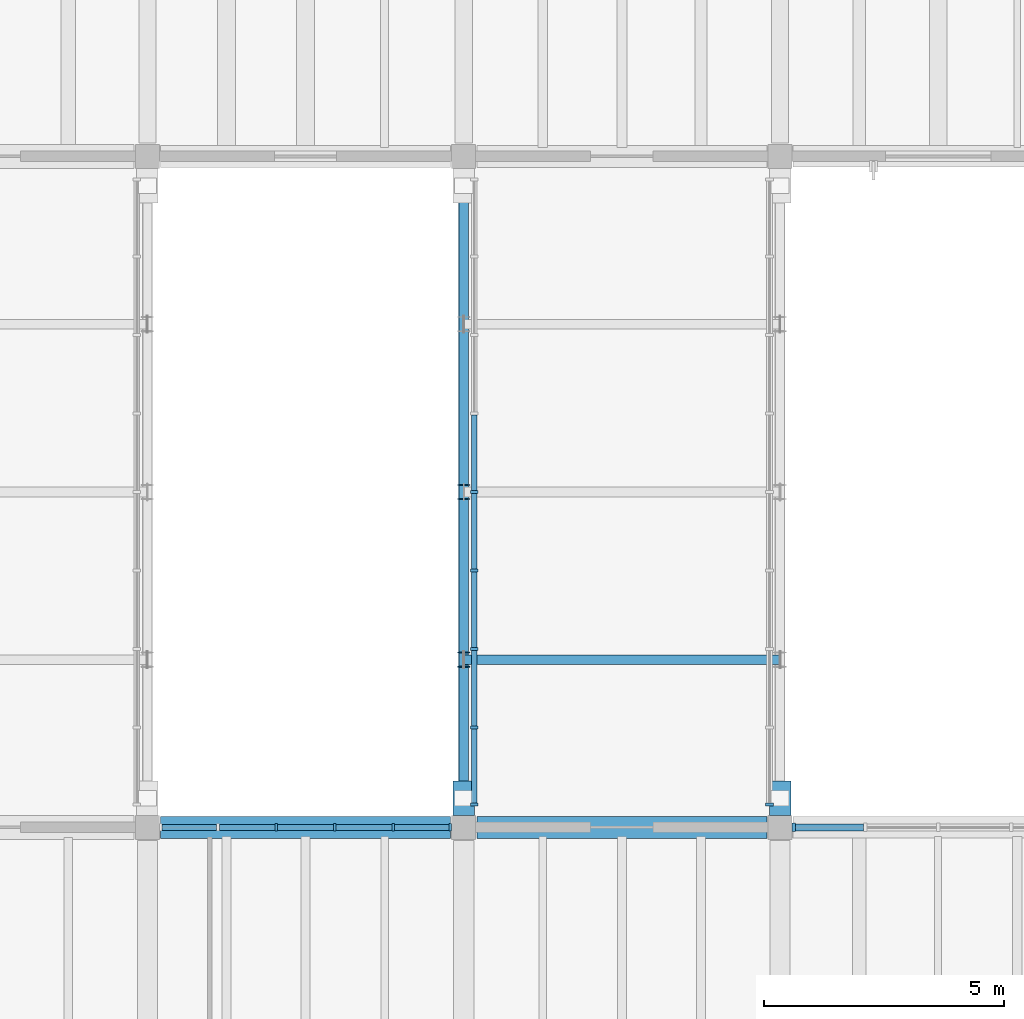
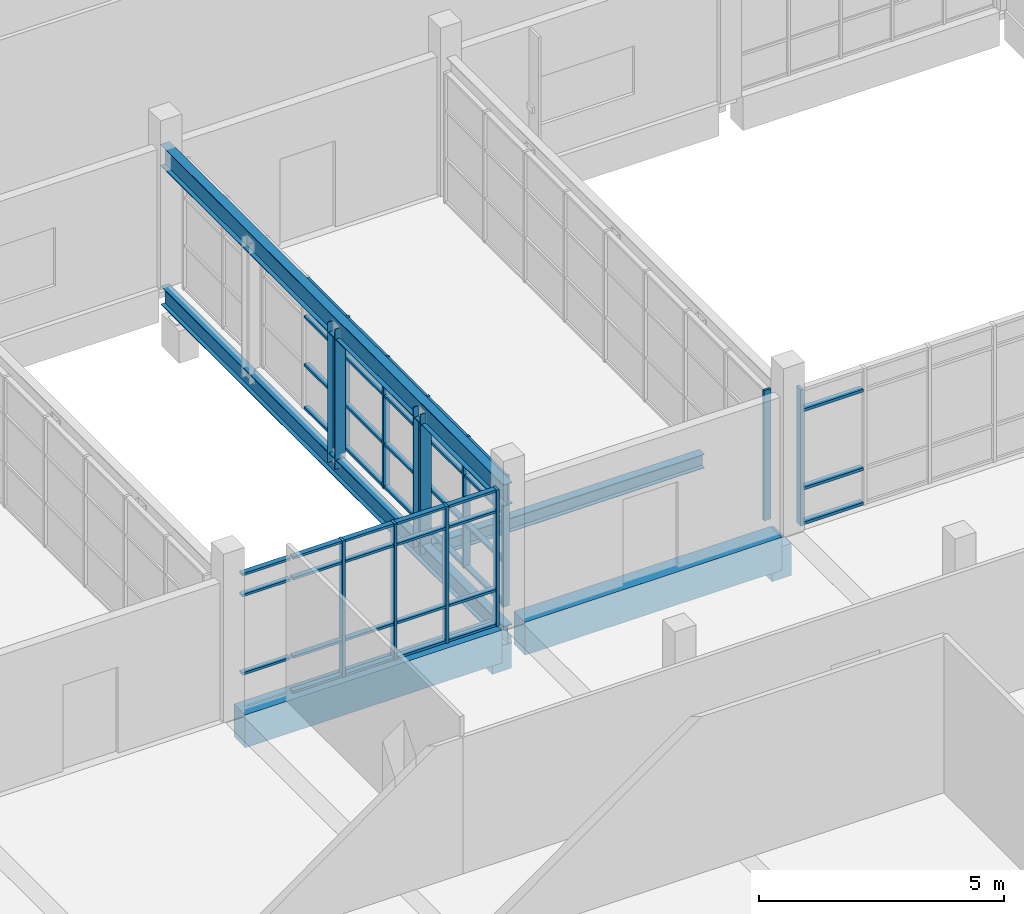
# One storey, part 19 of 65: 57 members, 5 beams, 4 elements without a shape of their own.
"""IFC4 building model written with IfcOpenShell, lengths in metres."""

from ifc_helpers import new_model, si_unit, direction, frame, origin, origin_2d, place, context, subcontext, project, spatial, rectangle, i_section, extrude, material, material_profile, profile_set, type_object, element, aggregate, save


model = new_model("IFC4")

# Units and contexts
model_context = context("Model", 3, precision=1e-05, world=origin(), true_north=direction((0.0, 1.0)))
body_context = subcontext(model_context, "Body", "Model", "MODEL_VIEW")
ifc_project = project(units=[si_unit("LENGTHUNIT", "METRE"), si_unit("AREAUNIT", "SQUARE_METRE"), si_unit("VOLUMEUNIT", "CUBIC_METRE"), si_unit("PLANEANGLEUNIT", "RADIAN"), si_unit("MASSUNIT", "GRAM", prefix="KILO")], contexts=[model_context])

# Site, building, storey
site_placement = place(None, origin())
site = spatial("IfcSite", under=ifc_project, at=site_placement, CompositionType="ELEMENT")
building_placement = place(site_placement, origin())
building = spatial("IfcBuilding", under=site, at=building_placement, Name="Ciguamira Faculty of Natural Sciences", CompositionType="ELEMENT")
storey_placement = place(building_placement, frame((0.0, 0.0, 12.60009765625)))
storey = spatial("IfcBuildingStorey", under=building, at=storey_placement, Name="L03", CompositionType="ELEMENT", Elevation=12.60009765625)

# Curtain wall, members
ifc_material_1 = material(Name="Anodized aluminium curtain wall", Category="aluminium")
curtain_wall_type_1 = type_object("IfcCurtainWallType", Name="CurtainWall_CW-07", PredefinedType="USERDEFINED", material=ifc_material_1)
curtain_wall_1_placement = place(storey_placement, origin())
curtain_wall_1 = element("IfcCurtainWall", 1, at=curtain_wall_1_placement, inside=storey, type_object=curtain_wall_type_1, Name="L03 unitised curtain wall 0091", ObjectType="UNITISED CURTAIN WALL", PredefinedType="USERDEFINED")
ifc_material_2 = material(Name="Anodized aluminium mullion", Category="aluminium")
ifc_material_profile_1 = material_profile(ifc_material_2, rectangle(XDim=0.06005859375, YDim=0.159912109375, at=origin_2d()), Name="ALU-MUL-60X160")
ifc_profile_set_1 = profile_set([ifc_material_profile_1], Name="Anodized aluminium mullion")
member_type_1 = type_object("IfcMemberType", Name="CWMullion_CWM-01", PredefinedType="MULLION", material=ifc_profile_set_1)
member_1_placement = place(storey_placement, frame((86.389892578125, 59.0, 0.0), z_axis=(0.0, 0.0, 1.0), x_axis=(1.0, 0.0, 0.0)))
member_1 = element("IfcMember", 2, at=member_1_placement, type_object=member_type_1, Name="CW-07 mullion 3", PredefinedType="MULLION", context=body_context, shape_type="SweptSolid", body=[
    extrude(rectangle(XDim=0.06005859375, YDim=0.159912109375, at=origin_2d()), origin(), (0.0, 0.0, 1.0), 3.40478515625),
])
member_2_placement = place(storey_placement, frame((87.610107421875, 59.0, 0.0), z_axis=(0.0, 0.0, 1.0), x_axis=(1.0, 0.0, 0.0)))
member_2 = element("IfcMember", 3, at=member_2_placement, type_object=member_type_1, Name="CW-07 mullion 4", PredefinedType="MULLION", context=body_context, shape_type="SweptSolid", body=[
    extrude(rectangle(XDim=0.06005859375, YDim=0.159912109375, at=origin_2d()), origin(), (0.0, 0.0, 1.0), 3.40478515625),
])
member_3_placement = place(storey_placement, frame((88.830078125, 59.0, 0.0), z_axis=(0.0, 0.0, 1.0), x_axis=(1.0, 0.0, 0.0)))
member_3 = element("IfcMember", 4, at=member_3_placement, type_object=member_type_1, Name="CW-07 mullion 5", PredefinedType="MULLION", context=body_context, shape_type="SweptSolid", body=[
    extrude(rectangle(XDim=0.06005859375, YDim=0.159912109375, at=origin_2d()), origin(), (0.0, 0.0, 1.0), 3.40478515625),
])
member_4_placement = place(storey_placement, frame((90.02001953125, 59.0, 0.0), z_axis=(0.0, 0.0, 1.0), x_axis=(1.0, 0.0, 0.0)))
member_4 = element("IfcMember", 5, at=member_4_placement, type_object=member_type_1, Name="CW-07 mullion 6", PredefinedType="MULLION", context=body_context, shape_type="SweptSolid", body=[
    extrude(rectangle(XDim=0.06005859375, YDim=0.159912109375, at=origin_2d()), origin(), (0.0, 0.0, 1.0), 3.40478515625),
])

curtain_wall_type_2 = type_object("IfcCurtainWallType", Name="CurtainWall_CW-12", PredefinedType="USERDEFINED", material=ifc_material_1)
curtain_wall_2_placement = place(storey_placement, origin())
curtain_wall_2 = element("IfcCurtainWall", 6, at=curtain_wall_2_placement, inside=storey, type_object=curtain_wall_type_2, Name="Link bridge BR-4 glazed curtain wall W", ObjectType="UNITISED CURTAIN WALL", PredefinedType="USERDEFINED")
member_5_placement = place(storey_placement, frame((90.52001953125, 59.47998046875, 0.0), z_axis=(0.0, 0.0, 1.0), x_axis=(0.0, 1.0, 0.0)))
member_5 = element("IfcMember", 7, at=member_5_placement, type_object=member_type_1, Name="CW-12 mullion 1", PredefinedType="MULLION", context=body_context, shape_type="SweptSolid", body=[
    extrude(rectangle(XDim=0.06005859375, YDim=0.159912109375, at=origin_2d()), origin(), (0.0, 0.0, 1.0), 3.25),
])
member_6_placement = place(storey_placement, frame((90.52001953125, 61.08740234375, 0.0), z_axis=(0.0, 0.0, 1.0), x_axis=(0.0, 1.0, 0.0)))
member_6 = element("IfcMember", 8, at=member_6_placement, type_object=member_type_1, Name="CW-12 mullion 2", PredefinedType="MULLION", context=body_context, shape_type="SweptSolid", body=[
    extrude(rectangle(XDim=0.06005859375, YDim=0.159912109375, at=origin_2d()), origin(), (0.0, 0.0, 1.0), 3.25),
])
member_7_placement = place(storey_placement, frame((90.52001953125, 62.72509765625, 0.0), z_axis=(0.0, 0.0, 1.0), x_axis=(0.0, 1.0, 0.0)))
member_7 = element("IfcMember", 9, at=member_7_placement, type_object=member_type_1, Name="CW-12 mullion 3", PredefinedType="MULLION", context=body_context, shape_type="SweptSolid", body=[
    extrude(rectangle(XDim=0.06005859375, YDim=0.159912109375, at=origin_2d()), origin(), (0.0, 0.0, 1.0), 3.25),
])
member_8_placement = place(storey_placement, frame((90.52001953125, 64.362548828125, 0.0), z_axis=(0.0, 0.0, 1.0), x_axis=(0.0, 1.0, 0.0)))
member_8 = element("IfcMember", 10, at=member_8_placement, type_object=member_type_1, Name="CW-12 mullion 4", PredefinedType="MULLION", context=body_context, shape_type="SweptSolid", body=[
    extrude(rectangle(XDim=0.06005859375, YDim=0.159912109375, at=origin_2d()), origin(), (0.0, 0.0, 1.0), 3.25),
])
member_9_placement = place(storey_placement, frame((90.52001953125, 66.0, 0.0), z_axis=(0.0, 0.0, 1.0), x_axis=(0.0, 1.0, 0.0)))
member_9 = element("IfcMember", 11, at=member_9_placement, type_object=member_type_1, Name="CW-12 mullion 5", PredefinedType="MULLION", context=body_context, shape_type="SweptSolid", body=[
    extrude(rectangle(XDim=0.06005859375, YDim=0.159912109375, at=origin_2d()), origin(), (0.0, 0.0, 1.0), 3.25),
])

# Curtain wall, member
curtain_wall_type_3 = type_object("IfcCurtainWallType", Name="CurtainWall_CW-01", PredefinedType="USERDEFINED", material=ifc_material_1)
curtain_wall_3_placement = place(storey_placement, origin())
curtain_wall_3 = element("IfcCurtainWall", 12, at=curtain_wall_3_placement, inside=storey, type_object=curtain_wall_type_3, Name="Link bridge BR-4 glazed curtain wall E", ObjectType="UNITISED CURTAIN WALL", PredefinedType="USERDEFINED")
member_10_placement = place(storey_placement, frame((96.679931640625, 59.47998046875, 0.0), z_axis=(0.0, 0.0, 1.0), x_axis=(0.0, 1.0, 0.0)))
member_10 = element("IfcMember", 13, at=member_10_placement, type_object=member_type_1, Name="CW-01 mullion 1", PredefinedType="MULLION", context=body_context, shape_type="SweptSolid", body=[
    extrude(rectangle(XDim=0.06005859375, YDim=0.159912109375, at=origin_2d()), origin(), (0.0, 0.0, 1.0), 3.25),
])
aggregate(curtain_wall_3, [member_10])

curtain_wall_type_4 = type_object("IfcCurtainWallType", Name="CurtainWall_CW-08", PredefinedType="USERDEFINED", material=ifc_material_1)
curtain_wall_4_placement = place(storey_placement, origin())
curtain_wall_4 = element("IfcCurtainWall", 14, at=curtain_wall_4_placement, inside=storey, type_object=curtain_wall_type_4, Name="L03 unitised curtain wall 0092", ObjectType="UNITISED CURTAIN WALL", PredefinedType="USERDEFINED")
ifc_material_profile_2 = material_profile(ifc_material_2, rectangle(XDim=0.070068359375, YDim=0.179931640625, at=origin_2d()), Name="ALU-MUL-70X180")
ifc_profile_set_2 = profile_set([ifc_material_profile_2], Name="Anodized aluminium mullion")
member_type_2 = type_object("IfcMemberType", Name="CWMullion_CWM-02", PredefinedType="MULLION", material=ifc_profile_set_2)
member_11_placement = place(storey_placement, frame((97.18505859375, 59.0, 0.0), z_axis=(0.0, 0.0, 1.0), x_axis=(1.0, 0.0, 0.0)))
member_11 = element("IfcMember", 15, at=member_11_placement, type_object=member_type_2, Name="CW-08 mullion 1", PredefinedType="MULLION", context=body_context, shape_type="SweptSolid", body=[
    extrude(rectangle(XDim=0.070068359375, YDim=0.179931640625, at=origin_2d()), origin(), (0.0, 0.0, 1.0), 3.40478515625),
])

# Member
ifc_material_3 = material(Name="Anodized aluminium transom", Category="aluminium")
ifc_material_profile_3 = material_profile(ifc_material_3, rectangle(XDim=0.06005859375, YDim=0.1201171875, at=origin_2d()), Name="ALU-TRN-60X120")
ifc_profile_set_3 = profile_set([ifc_material_profile_3], Name="Anodized aluminium transom")
member_type_3 = type_object("IfcMemberType", Name="CWTransom_CWT-01", PredefinedType="USERDEFINED", material=ifc_profile_set_3)
member_12_placement = place(storey_placement, frame((84.010009765625, 59.0, 0.89990234375), z_axis=(1.0, 0.0, 0.0), x_axis=(0.0, 0.0, 1.0)))
member_12 = element("IfcMember", 16, at=member_12_placement, type_object=member_type_3, Name="CW-07 transom 1.2", ObjectType="TRANSOM", PredefinedType="USERDEFINED", context=body_context, shape_type="SweptSolid", body=[
    extrude(rectangle(XDim=0.06005859375, YDim=0.1201171875, at=origin_2d()), origin(), (0.0, 0.0, 1.0), 1.1298828125),
])

member_13_placement = place(storey_placement, frame((84.010009765625, 59.0, 2.85498046875), z_axis=(1.0, 0.0, 0.0), x_axis=(0.0, 0.0, 1.0)))
member_13 = element("IfcMember", 17, at=member_13_placement, type_object=member_type_3, Name="CW-07 transom 1.3", ObjectType="TRANSOM", PredefinedType="USERDEFINED", context=body_context, shape_type="SweptSolid", body=[
    extrude(rectangle(XDim=0.06005859375, YDim=0.1201171875, at=origin_2d()), origin(), (0.0, 0.0, 1.0), 1.1298828125),
])

member_14_placement = place(storey_placement, frame((84.010009765625, 59.0, 3.375), z_axis=(1.0, 0.0, 0.0), x_axis=(0.0, 0.0, 1.0)))
member_14 = element("IfcMember", 18, at=member_14_placement, type_object=member_type_3, Name="CW-07 transom 1.4", ObjectType="TRANSOM", PredefinedType="USERDEFINED", context=body_context, shape_type="SweptSolid", body=[
    extrude(rectangle(XDim=0.06005859375, YDim=0.1201171875, at=origin_2d()), origin(), (0.0, 0.0, 1.0), 1.1298828125),
])

member_15_placement = place(storey_placement, frame((85.199951171875, 59.0, 0.02978515625), z_axis=(1.0, 0.0, 0.0), x_axis=(0.0, 0.0, 1.0)))
member_15 = element("IfcMember", 19, at=member_15_placement, type_object=member_type_3, Name="CW-07 transom 2.1", ObjectType="TRANSOM", PredefinedType="USERDEFINED", context=body_context, shape_type="SweptSolid", body=[
    extrude(rectangle(XDim=0.06005859375, YDim=0.1201171875, at=origin_2d()), origin(), (0.0, 0.0, 1.0), 1.16015625),
])

member_16_placement = place(storey_placement, frame((85.199951171875, 59.0, 0.89990234375), z_axis=(1.0, 0.0, 0.0), x_axis=(0.0, 0.0, 1.0)))
member_16 = element("IfcMember", 20, at=member_16_placement, type_object=member_type_3, Name="CW-07 transom 2.2", ObjectType="TRANSOM", PredefinedType="USERDEFINED", context=body_context, shape_type="SweptSolid", body=[
    extrude(rectangle(XDim=0.06005859375, YDim=0.1201171875, at=origin_2d()), origin(), (0.0, 0.0, 1.0), 1.16015625),
])

member_17_placement = place(storey_placement, frame((85.199951171875, 59.0, 2.85498046875), z_axis=(1.0, 0.0, 0.0), x_axis=(0.0, 0.0, 1.0)))
member_17 = element("IfcMember", 21, at=member_17_placement, type_object=member_type_3, Name="CW-07 transom 2.3", ObjectType="TRANSOM", PredefinedType="USERDEFINED", context=body_context, shape_type="SweptSolid", body=[
    extrude(rectangle(XDim=0.06005859375, YDim=0.1201171875, at=origin_2d()), origin(), (0.0, 0.0, 1.0), 1.16015625),
])

member_18_placement = place(storey_placement, frame((85.199951171875, 59.0, 3.375), z_axis=(1.0, 0.0, 0.0), x_axis=(0.0, 0.0, 1.0)))
member_18 = element("IfcMember", 22, at=member_18_placement, type_object=member_type_3, Name="CW-07 transom 2.4", ObjectType="TRANSOM", PredefinedType="USERDEFINED", context=body_context, shape_type="SweptSolid", body=[
    extrude(rectangle(XDim=0.06005859375, YDim=0.1201171875, at=origin_2d()), origin(), (0.0, 0.0, 1.0), 1.16015625),
])

member_19_placement = place(storey_placement, frame((86.419921875, 59.0, 0.02978515625), z_axis=(1.0, 0.0, 0.0), x_axis=(0.0, 0.0, 1.0)))
member_19 = element("IfcMember", 23, at=member_19_placement, type_object=member_type_3, Name="CW-07 transom 3.1", ObjectType="TRANSOM", PredefinedType="USERDEFINED", context=body_context, shape_type="SweptSolid", body=[
    extrude(rectangle(XDim=0.06005859375, YDim=0.1201171875, at=origin_2d()), origin(), (0.0, 0.0, 1.0), 1.16015625),
])

member_20_placement = place(storey_placement, frame((86.419921875, 59.0, 0.89990234375), z_axis=(1.0, 0.0, 0.0), x_axis=(0.0, 0.0, 1.0)))
member_20 = element("IfcMember", 24, at=member_20_placement, type_object=member_type_3, Name="CW-07 transom 3.2", ObjectType="TRANSOM", PredefinedType="USERDEFINED", context=body_context, shape_type="SweptSolid", body=[
    extrude(rectangle(XDim=0.06005859375, YDim=0.1201171875, at=origin_2d()), origin(), (0.0, 0.0, 1.0), 1.16015625),
])

member_21_placement = place(storey_placement, frame((86.419921875, 59.0, 2.85498046875), z_axis=(1.0, 0.0, 0.0), x_axis=(0.0, 0.0, 1.0)))
member_21 = element("IfcMember", 25, at=member_21_placement, type_object=member_type_3, Name="CW-07 transom 3.3", ObjectType="TRANSOM", PredefinedType="USERDEFINED", context=body_context, shape_type="SweptSolid", body=[
    extrude(rectangle(XDim=0.06005859375, YDim=0.1201171875, at=origin_2d()), origin(), (0.0, 0.0, 1.0), 1.16015625),
])

member_22_placement = place(storey_placement, frame((86.419921875, 59.0, 3.375), z_axis=(1.0, 0.0, 0.0), x_axis=(0.0, 0.0, 1.0)))
member_22 = element("IfcMember", 26, at=member_22_placement, type_object=member_type_3, Name="CW-07 transom 3.4", ObjectType="TRANSOM", PredefinedType="USERDEFINED", context=body_context, shape_type="SweptSolid", body=[
    extrude(rectangle(XDim=0.06005859375, YDim=0.1201171875, at=origin_2d()), origin(), (0.0, 0.0, 1.0), 1.16015625),
])

member_23_placement = place(storey_placement, frame((87.639892578125, 59.0, 0.02978515625), z_axis=(1.0, 0.0, 0.0), x_axis=(0.0, 0.0, 1.0)))
member_23 = element("IfcMember", 27, at=member_23_placement, type_object=member_type_3, Name="CW-07 transom 4.1", ObjectType="TRANSOM", PredefinedType="USERDEFINED", context=body_context, shape_type="SweptSolid", body=[
    extrude(rectangle(XDim=0.06005859375, YDim=0.1201171875, at=origin_2d()), origin(), (0.0, 0.0, 1.0), 1.16015625),
])

member_24_placement = place(storey_placement, frame((87.639892578125, 59.0, 0.89990234375), z_axis=(1.0, 0.0, 0.0), x_axis=(0.0, 0.0, 1.0)))
member_24 = element("IfcMember", 28, at=member_24_placement, type_object=member_type_3, Name="CW-07 transom 4.2", ObjectType="TRANSOM", PredefinedType="USERDEFINED", context=body_context, shape_type="SweptSolid", body=[
    extrude(rectangle(XDim=0.06005859375, YDim=0.1201171875, at=origin_2d()), origin(), (0.0, 0.0, 1.0), 1.16015625),
])

member_25_placement = place(storey_placement, frame((87.639892578125, 59.0, 2.85498046875), z_axis=(1.0, 0.0, 0.0), x_axis=(0.0, 0.0, 1.0)))
member_25 = element("IfcMember", 29, at=member_25_placement, type_object=member_type_3, Name="CW-07 transom 4.3", ObjectType="TRANSOM", PredefinedType="USERDEFINED", context=body_context, shape_type="SweptSolid", body=[
    extrude(rectangle(XDim=0.06005859375, YDim=0.1201171875, at=origin_2d()), origin(), (0.0, 0.0, 1.0), 1.16015625),
])

member_26_placement = place(storey_placement, frame((87.639892578125, 59.0, 3.375), z_axis=(1.0, 0.0, 0.0), x_axis=(0.0, 0.0, 1.0)))
member_26 = element("IfcMember", 30, at=member_26_placement, type_object=member_type_3, Name="CW-07 transom 4.4", ObjectType="TRANSOM", PredefinedType="USERDEFINED", context=body_context, shape_type="SweptSolid", body=[
    extrude(rectangle(XDim=0.06005859375, YDim=0.1201171875, at=origin_2d()), origin(), (0.0, 0.0, 1.0), 1.16015625),
])

member_27_placement = place(storey_placement, frame((88.860107421875, 59.0, 0.02978515625), z_axis=(1.0, 0.0, 0.0), x_axis=(0.0, 0.0, 1.0)))
member_27 = element("IfcMember", 31, at=member_27_placement, type_object=member_type_3, Name="CW-07 transom 5.1", ObjectType="TRANSOM", PredefinedType="USERDEFINED", context=body_context, shape_type="SweptSolid", body=[
    extrude(rectangle(XDim=0.06005859375, YDim=0.1201171875, at=origin_2d()), origin(), (0.0, 0.0, 1.0), 1.1298828125),
])

member_28_placement = place(storey_placement, frame((88.860107421875, 59.0, 0.89990234375), z_axis=(1.0, 0.0, 0.0), x_axis=(0.0, 0.0, 1.0)))
member_28 = element("IfcMember", 32, at=member_28_placement, type_object=member_type_3, Name="CW-07 transom 5.2", ObjectType="TRANSOM", PredefinedType="USERDEFINED", context=body_context, shape_type="SweptSolid", body=[
    extrude(rectangle(XDim=0.06005859375, YDim=0.1201171875, at=origin_2d()), origin(), (0.0, 0.0, 1.0), 1.1298828125),
])

member_29_placement = place(storey_placement, frame((88.860107421875, 59.0, 2.85498046875), z_axis=(1.0, 0.0, 0.0), x_axis=(0.0, 0.0, 1.0)))
member_29 = element("IfcMember", 33, at=member_29_placement, type_object=member_type_3, Name="CW-07 transom 5.3", ObjectType="TRANSOM", PredefinedType="USERDEFINED", context=body_context, shape_type="SweptSolid", body=[
    extrude(rectangle(XDim=0.06005859375, YDim=0.1201171875, at=origin_2d()), origin(), (0.0, 0.0, 1.0), 1.1298828125),
])

member_30_placement = place(storey_placement, frame((88.860107421875, 59.0, 3.375), z_axis=(1.0, 0.0, 0.0), x_axis=(0.0, 0.0, 1.0)))
member_30 = element("IfcMember", 34, at=member_30_placement, type_object=member_type_3, Name="CW-07 transom 5.4", ObjectType="TRANSOM", PredefinedType="USERDEFINED", context=body_context, shape_type="SweptSolid", body=[
    extrude(rectangle(XDim=0.06005859375, YDim=0.1201171875, at=origin_2d()), origin(), (0.0, 0.0, 1.0), 1.1298828125),
])

aggregate(curtain_wall_1, [member_1, member_2, member_3, member_4, member_12, member_13, member_14, member_15, member_16, member_17, member_18, member_19, member_20, member_21, member_22, member_23, member_24, member_25, member_26, member_27, member_28, member_29, member_30])

member_31_placement = place(storey_placement, frame((90.52001953125, 59.510009765625, 0.02978515625), z_axis=(0.0, 1.0, 0.0), x_axis=(0.0, 0.0, 1.0)))
member_31 = element("IfcMember", 35, at=member_31_placement, type_object=member_type_3, Name="CW-12 transom 1.1", ObjectType="TRANSOM", PredefinedType="USERDEFINED", context=body_context, shape_type="SweptSolid", body=[
    extrude(rectangle(XDim=0.06005859375, YDim=0.1201171875, at=origin_2d()), origin(), (0.0, 0.0, 1.0), 1.547607421875),
])

member_32_placement = place(storey_placement, frame((90.52001953125, 59.510009765625, 1.099853515625), z_axis=(0.0, 1.0, 0.0), x_axis=(0.0, 0.0, 1.0)))
member_32 = element("IfcMember", 36, at=member_32_placement, type_object=member_type_3, Name="CW-12 transom 1.2", ObjectType="TRANSOM", PredefinedType="USERDEFINED", context=body_context, shape_type="SweptSolid", body=[
    extrude(rectangle(XDim=0.06005859375, YDim=0.1201171875, at=origin_2d()), origin(), (0.0, 0.0, 1.0), 1.547607421875),
])

member_33_placement = place(storey_placement, frame((90.52001953125, 59.510009765625, 2.2998046875), z_axis=(0.0, 1.0, 0.0), x_axis=(0.0, 0.0, 1.0)))
member_33 = element("IfcMember", 37, at=member_33_placement, type_object=member_type_3, Name="CW-12 transom 1.3", ObjectType="TRANSOM", PredefinedType="USERDEFINED", context=body_context, shape_type="SweptSolid", body=[
    extrude(rectangle(XDim=0.06005859375, YDim=0.1201171875, at=origin_2d()), origin(), (0.0, 0.0, 1.0), 1.547607421875),
])

member_34_placement = place(storey_placement, frame((90.52001953125, 59.510009765625, 3.219970703125), z_axis=(0.0, 1.0, 0.0), x_axis=(0.0, 0.0, 1.0)))
member_34 = element("IfcMember", 38, at=member_34_placement, type_object=member_type_3, Name="CW-12 transom 1.4", ObjectType="TRANSOM", PredefinedType="USERDEFINED", context=body_context, shape_type="SweptSolid", body=[
    extrude(rectangle(XDim=0.06005859375, YDim=0.1201171875, at=origin_2d()), origin(), (0.0, 0.0, 1.0), 1.547607421875),
])

member_35_placement = place(storey_placement, frame((90.52001953125, 61.117431640625, 0.02978515625), z_axis=(0.0, 1.0, 0.0), x_axis=(0.0, 0.0, 1.0)))
member_35 = element("IfcMember", 39, at=member_35_placement, type_object=member_type_3, Name="CW-12 transom 2.1", ObjectType="TRANSOM", PredefinedType="USERDEFINED", context=body_context, shape_type="SweptSolid", body=[
    extrude(rectangle(XDim=0.06005859375, YDim=0.1201171875, at=origin_2d()), origin(), (0.0, 0.0, 1.0), 1.57763671875),
])

member_36_placement = place(storey_placement, frame((90.52001953125, 61.117431640625, 1.099853515625), z_axis=(0.0, 1.0, 0.0), x_axis=(0.0, 0.0, 1.0)))
member_36 = element("IfcMember", 40, at=member_36_placement, type_object=member_type_3, Name="CW-12 transom 2.2", ObjectType="TRANSOM", PredefinedType="USERDEFINED", context=body_context, shape_type="SweptSolid", body=[
    extrude(rectangle(XDim=0.06005859375, YDim=0.1201171875, at=origin_2d()), origin(), (0.0, 0.0, 1.0), 1.57763671875),
])

member_37_placement = place(storey_placement, frame((90.52001953125, 61.117431640625, 2.2998046875), z_axis=(0.0, 1.0, 0.0), x_axis=(0.0, 0.0, 1.0)))
member_37 = element("IfcMember", 41, at=member_37_placement, type_object=member_type_3, Name="CW-12 transom 2.3", ObjectType="TRANSOM", PredefinedType="USERDEFINED", context=body_context, shape_type="SweptSolid", body=[
    extrude(rectangle(XDim=0.06005859375, YDim=0.1201171875, at=origin_2d()), origin(), (0.0, 0.0, 1.0), 1.57763671875),
])

member_38_placement = place(storey_placement, frame((90.52001953125, 61.117431640625, 3.219970703125), z_axis=(0.0, 1.0, 0.0), x_axis=(0.0, 0.0, 1.0)))
member_38 = element("IfcMember", 42, at=member_38_placement, type_object=member_type_3, Name="CW-12 transom 2.4", ObjectType="TRANSOM", PredefinedType="USERDEFINED", context=body_context, shape_type="SweptSolid", body=[
    extrude(rectangle(XDim=0.06005859375, YDim=0.1201171875, at=origin_2d()), origin(), (0.0, 0.0, 1.0), 1.57763671875),
])

member_39_placement = place(storey_placement, frame((90.52001953125, 62.7548828125, 0.02978515625), z_axis=(0.0, 1.0, 0.0), x_axis=(0.0, 0.0, 1.0)))
member_39 = element("IfcMember", 43, at=member_39_placement, type_object=member_type_3, Name="CW-12 transom 3.1", ObjectType="TRANSOM", PredefinedType="USERDEFINED", context=body_context, shape_type="SweptSolid", body=[
    extrude(rectangle(XDim=0.06005859375, YDim=0.1201171875, at=origin_2d()), origin(), (0.0, 0.0, 1.0), 1.57763671875),
])

member_40_placement = place(storey_placement, frame((90.52001953125, 62.7548828125, 1.099853515625), z_axis=(0.0, 1.0, 0.0), x_axis=(0.0, 0.0, 1.0)))
member_40 = element("IfcMember", 44, at=member_40_placement, type_object=member_type_3, Name="CW-12 transom 3.2", ObjectType="TRANSOM", PredefinedType="USERDEFINED", context=body_context, shape_type="SweptSolid", body=[
    extrude(rectangle(XDim=0.06005859375, YDim=0.1201171875, at=origin_2d()), origin(), (0.0, 0.0, 1.0), 1.57763671875),
])

member_41_placement = place(storey_placement, frame((90.52001953125, 62.7548828125, 2.2998046875), z_axis=(0.0, 1.0, 0.0), x_axis=(0.0, 0.0, 1.0)))
member_41 = element("IfcMember", 45, at=member_41_placement, type_object=member_type_3, Name="CW-12 transom 3.3", ObjectType="TRANSOM", PredefinedType="USERDEFINED", context=body_context, shape_type="SweptSolid", body=[
    extrude(rectangle(XDim=0.06005859375, YDim=0.1201171875, at=origin_2d()), origin(), (0.0, 0.0, 1.0), 1.57763671875),
])

member_42_placement = place(storey_placement, frame((90.52001953125, 62.7548828125, 3.219970703125), z_axis=(0.0, 1.0, 0.0), x_axis=(0.0, 0.0, 1.0)))
member_42 = element("IfcMember", 46, at=member_42_placement, type_object=member_type_3, Name="CW-12 transom 3.4", ObjectType="TRANSOM", PredefinedType="USERDEFINED", context=body_context, shape_type="SweptSolid", body=[
    extrude(rectangle(XDim=0.06005859375, YDim=0.1201171875, at=origin_2d()), origin(), (0.0, 0.0, 1.0), 1.57763671875),
])

member_43_placement = place(storey_placement, frame((90.52001953125, 64.392578125, 0.02978515625), z_axis=(0.0, 1.0, 0.0), x_axis=(0.0, 0.0, 1.0)))
member_43 = element("IfcMember", 47, at=member_43_placement, type_object=member_type_3, Name="CW-12 transom 4.1", ObjectType="TRANSOM", PredefinedType="USERDEFINED", context=body_context, shape_type="SweptSolid", body=[
    extrude(rectangle(XDim=0.06005859375, YDim=0.1201171875, at=origin_2d()), origin(), (0.0, 0.0, 1.0), 1.577392578125),
])

member_44_placement = place(storey_placement, frame((90.52001953125, 64.392578125, 1.099853515625), z_axis=(0.0, 1.0, 0.0), x_axis=(0.0, 0.0, 1.0)))
member_44 = element("IfcMember", 48, at=member_44_placement, type_object=member_type_3, Name="CW-12 transom 4.2", ObjectType="TRANSOM", PredefinedType="USERDEFINED", context=body_context, shape_type="SweptSolid", body=[
    extrude(rectangle(XDim=0.06005859375, YDim=0.1201171875, at=origin_2d()), origin(), (0.0, 0.0, 1.0), 1.577392578125),
])

member_45_placement = place(storey_placement, frame((90.52001953125, 64.392578125, 2.2998046875), z_axis=(0.0, 1.0, 0.0), x_axis=(0.0, 0.0, 1.0)))
member_45 = element("IfcMember", 49, at=member_45_placement, type_object=member_type_3, Name="CW-12 transom 4.3", ObjectType="TRANSOM", PredefinedType="USERDEFINED", context=body_context, shape_type="SweptSolid", body=[
    extrude(rectangle(XDim=0.06005859375, YDim=0.1201171875, at=origin_2d()), origin(), (0.0, 0.0, 1.0), 1.577392578125),
])

member_46_placement = place(storey_placement, frame((90.52001953125, 64.392578125, 3.219970703125), z_axis=(0.0, 1.0, 0.0), x_axis=(0.0, 0.0, 1.0)))
member_46 = element("IfcMember", 50, at=member_46_placement, type_object=member_type_3, Name="CW-12 transom 4.4", ObjectType="TRANSOM", PredefinedType="USERDEFINED", context=body_context, shape_type="SweptSolid", body=[
    extrude(rectangle(XDim=0.06005859375, YDim=0.1201171875, at=origin_2d()), origin(), (0.0, 0.0, 1.0), 1.577392578125),
])

member_47_placement = place(storey_placement, frame((90.52001953125, 66.030029296875, 0.02978515625), z_axis=(0.0, 1.0, 0.0), x_axis=(0.0, 0.0, 1.0)))
member_47 = element("IfcMember", 51, at=member_47_placement, type_object=member_type_3, Name="CW-12 transom 5.1", ObjectType="TRANSOM", PredefinedType="USERDEFINED", context=body_context, shape_type="SweptSolid", body=[
    extrude(rectangle(XDim=0.06005859375, YDim=0.1201171875, at=origin_2d()), origin(), (0.0, 0.0, 1.0), 1.577392578125),
])

member_48_placement = place(storey_placement, frame((90.52001953125, 66.030029296875, 1.099853515625), z_axis=(0.0, 1.0, 0.0), x_axis=(0.0, 0.0, 1.0)))
member_48 = element("IfcMember", 52, at=member_48_placement, type_object=member_type_3, Name="CW-12 transom 5.2", ObjectType="TRANSOM", PredefinedType="USERDEFINED", context=body_context, shape_type="SweptSolid", body=[
    extrude(rectangle(XDim=0.06005859375, YDim=0.1201171875, at=origin_2d()), origin(), (0.0, 0.0, 1.0), 1.577392578125),
])

member_49_placement = place(storey_placement, frame((90.52001953125, 66.030029296875, 2.2998046875), z_axis=(0.0, 1.0, 0.0), x_axis=(0.0, 0.0, 1.0)))
member_49 = element("IfcMember", 53, at=member_49_placement, type_object=member_type_3, Name="CW-12 transom 5.3", ObjectType="TRANSOM", PredefinedType="USERDEFINED", context=body_context, shape_type="SweptSolid", body=[
    extrude(rectangle(XDim=0.06005859375, YDim=0.1201171875, at=origin_2d()), origin(), (0.0, 0.0, 1.0), 1.577392578125),
])

member_50_placement = place(storey_placement, frame((90.52001953125, 66.030029296875, 3.219970703125), z_axis=(0.0, 1.0, 0.0), x_axis=(0.0, 0.0, 1.0)))
member_50 = element("IfcMember", 54, at=member_50_placement, type_object=member_type_3, Name="CW-12 transom 5.4", ObjectType="TRANSOM", PredefinedType="USERDEFINED", context=body_context, shape_type="SweptSolid", body=[
    extrude(rectangle(XDim=0.06005859375, YDim=0.1201171875, at=origin_2d()), origin(), (0.0, 0.0, 1.0), 1.577392578125),
])

aggregate(curtain_wall_2, [member_5, member_6, member_7, member_8, member_9, member_31, member_32, member_33, member_34, member_35, member_36, member_37, member_38, member_39, member_40, member_41, member_42, member_43, member_44, member_45, member_46, member_47, member_48, member_49, member_50])

ifc_material_profile_4 = material_profile(ifc_material_3, rectangle(XDim=0.070068359375, YDim=0.139892578125, at=origin_2d()), Name="ALU-TRN-70X140")
ifc_profile_set_4 = profile_set([ifc_material_profile_4], Name="Anodized aluminium transom")
member_type_4 = type_object("IfcMemberType", Name="CWTransom_CWT-02", PredefinedType="USERDEFINED", material=ifc_profile_set_4)
member_51_placement = place(storey_placement, frame((97.219970703125, 59.0, 0.034912109375), z_axis=(1.0, 0.0, 0.0), x_axis=(0.0, 0.0, 1.0)))
member_51 = element("IfcMember", 55, at=member_51_placement, type_object=member_type_4, Name="CW-08 transom 1.1", ObjectType="TRANSOM", PredefinedType="USERDEFINED", context=body_context, shape_type="SweptSolid", body=[
    extrude(rectangle(XDim=0.070068359375, YDim=0.139892578125, at=origin_2d()), origin(), (0.0, 0.0, 1.0), 1.419921875),
])

member_52_placement = place(storey_placement, frame((97.219970703125, 59.0, 0.89990234375), z_axis=(1.0, 0.0, 0.0), x_axis=(0.0, 0.0, 1.0)))
member_52 = element("IfcMember", 56, at=member_52_placement, type_object=member_type_4, Name="CW-08 transom 1.2", ObjectType="TRANSOM", PredefinedType="USERDEFINED", context=body_context, shape_type="SweptSolid", body=[
    extrude(rectangle(XDim=0.070068359375, YDim=0.139892578125, at=origin_2d()), origin(), (0.0, 0.0, 1.0), 1.419921875),
])

member_53_placement = place(storey_placement, frame((97.219970703125, 59.0, 2.85498046875), z_axis=(1.0, 0.0, 0.0), x_axis=(0.0, 0.0, 1.0)))
member_53 = element("IfcMember", 57, at=member_53_placement, type_object=member_type_4, Name="CW-08 transom 1.3", ObjectType="TRANSOM", PredefinedType="USERDEFINED", context=body_context, shape_type="SweptSolid", body=[
    extrude(rectangle(XDim=0.070068359375, YDim=0.139892578125, at=origin_2d()), origin(), (0.0, 0.0, 1.0), 1.419921875),
])

aggregate(curtain_wall_4, [member_11, member_51, member_52, member_53])

# Beams
ifc_material_4 = material(Name="Concrete C40/50", Category="concrete")
ifc_material_profile_5 = material_profile(ifc_material_4, rectangle(XDim=0.4599609375, YDim=0.820068359375, at=origin_2d()), Name="RC-BM-460X820")
ifc_profile_set_5 = profile_set([ifc_material_profile_5], Name="Concrete C40/50")
beam_type_1 = type_object("IfcBeamType", Name="RCBeam_BG-04_RC-BM-460X820", PredefinedType="BEAM", material=ifc_profile_set_5)
beam_1_placement = place(storey_placement, frame((83.97509765625, 59.0, -0.41015625), z_axis=(1.0, 0.0, 0.0), x_axis=(0.0, 1.0, 0.0)))
element("IfcBeam", 58, at=beam_1_placement, inside=storey, type_object=beam_type_1, Name="L03 RC girder EW-1113", PredefinedType="BEAM", context=body_context, shape_type="SweptSolid", body=[
    extrude(rectangle(XDim=0.4599609375, YDim=0.820068359375, at=origin_2d()), origin(), (0.0, 0.0, 1.0), 6.0498046875),
])
beam_2_placement = place(storey_placement, frame((90.574951171875, 59.0, -0.41015625), z_axis=(1.0, 0.0, 0.0), x_axis=(0.0, 1.0, 0.0)))
element("IfcBeam", 59, at=beam_2_placement, inside=storey, type_object=beam_type_1, Name="L03 RC girder EW-1114", PredefinedType="BEAM", context=body_context, shape_type="SweptSolid", body=[
    extrude(rectangle(XDim=0.4599609375, YDim=0.820068359375, at=origin_2d()), origin(), (0.0, 0.0, 1.0), 6.050048828125),
])
ifc_material_profile_6 = material_profile(ifc_material_4, rectangle(XDim=0.449951171875, YDim=0.800048828125, at=origin_2d()), Name="RC-BM-450X800")
ifc_profile_set_6 = profile_set([ifc_material_profile_6], Name="Concrete C40/50")
beam_type_2 = type_object("IfcBeamType", Name="RCBeam_BG-05_RC-BM-450X800", PredefinedType="BEAM", material=ifc_profile_set_6)
for number, where, z_axis, x_axis, name in (
    (60, (90.300048828125, 59.25, -1.015869140625), (0.0, 1.0, 0.0), (-1.0, 0.0, 0.0), "Link bridge BR-4 fixed south RC corbel seat 1"),
    (61, (96.89990234375, 59.25, -1.015869140625), (0.0, 1.0, 0.0), (-1.0, 0.0, 0.0), "Link bridge BR-4 fixed south RC corbel seat 2"),
):
    element("IfcBeam", number, at=place(storey_placement, frame(where, z_axis=z_axis, x_axis=x_axis)), inside=storey, type_object=beam_type_2, Name=name, PredefinedType="BEAM", context=body_context, shape_type="SweptSolid", body=[
        extrude(rectangle(XDim=0.449951171875, YDim=0.800048828125, at=origin_2d()), origin(), (0.0, 0.0, 1.0), 0.719970703125),
    ])
ifc_material_5 = material(Name="Steel ASTM A992 Grade 50", Category="steel")
ifc_material_profile_7 = material_profile(ifc_material_5, i_section(OverallWidth=0.203125, OverallDepth=0.347900390625, WebThickness=0.0078125, FlangeThickness=0.013427734375, at=origin_2d()), Name="W14X43")
ifc_profile_set_7 = profile_set([ifc_material_profile_7], Name="Steel ASTM A992 Grade 50")
beam_type_3 = type_object("IfcBeamType", Name="SteelJoist_SJ-12_W14X43", PredefinedType="JOIST", material=ifc_profile_set_7)
beam_3_placement = place(storey_placement, frame((90.300048828125, 62.5, -0.39404296875), z_axis=(1.0, 0.0, 0.0), x_axis=(0.0, 1.0, 0.0)))
element("IfcBeam", 62, at=beam_3_placement, inside=storey, type_object=beam_type_3, Name="Link bridge BR-4 floor crossbeam 1", PredefinedType="JOIST", context=body_context, shape_type="SweptSolid", body=[
    extrude(i_section(OverallWidth=0.203125, OverallDepth=0.347900390625, WebThickness=0.0078125, FlangeThickness=0.013427734375, at=origin_2d()), origin(), (0.0, 0.0, 1.0), 6.599853515625),
])

# Members
ifc_material_profile_8 = material_profile(ifc_material_5, i_section(OverallWidth=0.19287109375, OverallDepth=0.46728515625, WebThickness=0.011474609375, FlangeThickness=0.01904296875, at=origin_2d()), Name="W18X65")
ifc_profile_set_8 = profile_set([ifc_material_profile_8], Name="Steel ASTM A992 Grade 50")
member_type_5 = type_object("IfcMemberType", Name="SteelMember_TC-01_W18X65", PredefinedType="CHORD", material=ifc_profile_set_8)
member_54_placement = place(storey_placement, frame((90.300048828125, 59.0, -0.35009765625), z_axis=(0.0, 1.0, 0.0), x_axis=(-1.0, 0.0, 0.0)))
element("IfcMember", 63, at=member_54_placement, inside=storey, type_object=member_type_5, Name="Link bridge BR-4 bottom truss chord 1", PredefinedType="CHORD", context=body_context, shape_type="SweptSolid", body=[
    extrude(i_section(OverallWidth=0.19287109375, OverallDepth=0.46728515625, WebThickness=0.011474609375, FlangeThickness=0.01904296875, at=origin_2d()), origin(), (0.0, 0.0, 1.0), 14.0),
])
ifc_material_profile_9 = material_profile(ifc_material_5, i_section(OverallWidth=0.2099609375, OverallDepth=0.535888671875, WebThickness=0.010986328125, FlangeThickness=0.017333984375, at=origin_2d()), Name="W21X68")
ifc_profile_set_9 = profile_set([ifc_material_profile_9], Name="Steel ASTM A992 Grade 50")
member_type_6 = type_object("IfcMemberType", Name="SteelMember_TC-02_W21X68", PredefinedType="CHORD", material=ifc_profile_set_9)
member_55_placement = place(storey_placement, frame((90.300048828125, 59.0, 3.14990234375), z_axis=(0.0, 1.0, 0.0), x_axis=(-1.0, 0.0, 0.0)))
element("IfcMember", 64, at=member_55_placement, inside=storey, type_object=member_type_6, Name="Link bridge BR-4 top truss chord 1", PredefinedType="CHORD", context=body_context, shape_type="SweptSolid", body=[
    extrude(i_section(OverallWidth=0.2099609375, OverallDepth=0.535888671875, WebThickness=0.010986328125, FlangeThickness=0.017333984375, at=origin_2d()), origin(), (0.0, 0.0, 1.0), 14.0),
])
ifc_material_profile_10 = material_profile(ifc_material_5, i_section(OverallWidth=0.25390625, OverallDepth=0.307373046875, WebThickness=0.0087890625, FlangeThickness=0.0146484375, at=origin_2d()), Name="W12X53")
ifc_profile_set_10 = profile_set([ifc_material_profile_10], Name="Steel ASTM A992 Grade 50")
member_type_7 = type_object("IfcMemberType", Name="SteelMember_TS-02_W12X53", PredefinedType="STRUT", material=ifc_profile_set_10)
for number, where, z_axis, x_axis, name in (
    (65, (90.300048828125, 62.5, -0.35009765625), (0.0, 0.0, 1.0), (1.0, 0.0, 0.0), "Link bridge BR-4 truss vertical 1-2"),
    (66, (90.300048828125, 66.0, -0.35009765625), (0.0, 0.0, 1.0), (1.0, 0.0, 0.0), "Link bridge BR-4 truss vertical 1-3"),
):
    element("IfcMember", number, at=place(storey_placement, frame(where, z_axis=z_axis, x_axis=x_axis)), inside=storey, type_object=member_type_7, Name=name, PredefinedType="STRUT", context=body_context, shape_type="SweptSolid", body=[
        extrude(i_section(OverallWidth=0.25390625, OverallDepth=0.307373046875, WebThickness=0.0087890625, FlangeThickness=0.0146484375, at=origin_2d()), origin(), (0.0, 0.0, 1.0), 3.5),
    ])

save(model, "model.ifc")
